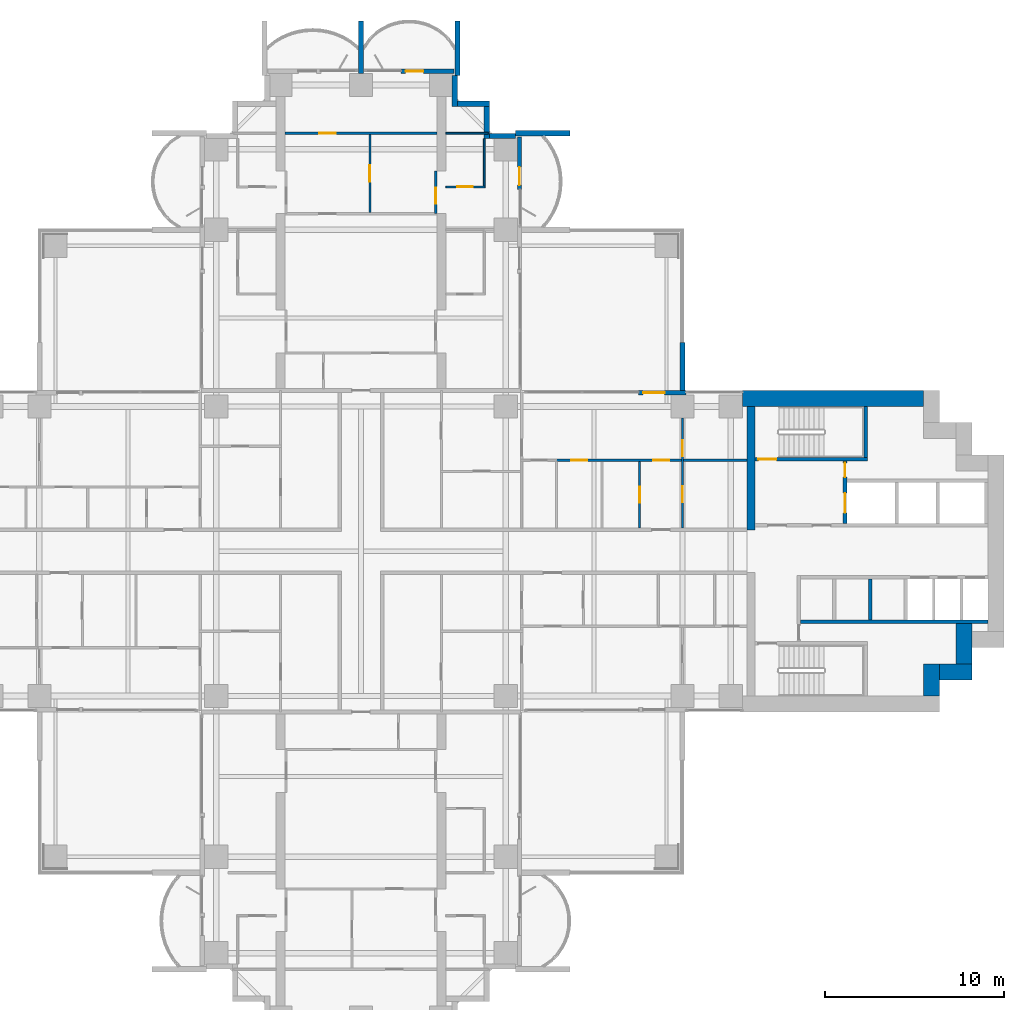
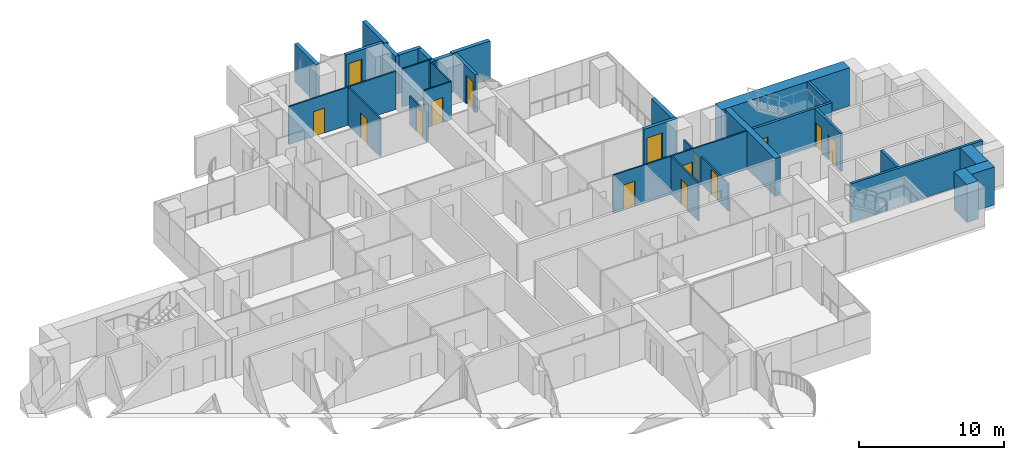
# One storey, part 15 of 21: 30 walls, 15 doors, 15 openings.
"""IFC4 building model written with IfcOpenShell, lengths in metres."""

from ifc_helpers import new_model, si_unit, direction, frame, frame_2d, origin, place, context, subcontext, project, spatial, rectangle, extrude, material, layer, layer_set, type_object, element, fill, save


model = new_model("IFC4")

# Units and contexts
model_context = context("Model", 3, precision=1e-05, world=origin(), true_north=direction((0.0, 1.0)))
body_context = subcontext(model_context, "Body", "Model", "MODEL_VIEW")
ifc_project = project(units=[si_unit("LENGTHUNIT", "METRE"), si_unit("AREAUNIT", "SQUARE_METRE"), si_unit("VOLUMEUNIT", "CUBIC_METRE"), si_unit("PLANEANGLEUNIT", "RADIAN"), si_unit("MASSUNIT", "GRAM", prefix="KILO")], contexts=[model_context])

# Site, building, storey
site_placement = place(None, origin())
site = spatial("IfcSite", under=ifc_project, at=site_placement, CompositionType="ELEMENT")
building_placement = place(site_placement, origin())
building = spatial("IfcBuilding", under=site, at=building_placement, Name="Perihelion Cross Residences", CompositionType="ELEMENT")
storey_placement = place(building_placement, frame((0.0, 0.0, 89.0)))
storey = spatial("IfcBuildingStorey", under=building, at=storey_placement, Name="L20", CompositionType="ELEMENT", Elevation=89.0)

# Wall, opening, door
ifc_material_1 = material(Name="Concrete C30/37, bronze-clad", Category="concrete")
ifc_layer_1 = layer(ifc_material_1, 0.25)
ifc_layer_set_1 = layer_set([ifc_layer_1], Name="Bronze-clad pier wall 250")
wall_type_1 = type_object("IfcWallType", Name="Bronze-clad pier wall 250", PredefinedType="SOLIDWALL", material=ifc_layer_set_1)
wall_1_placement = place(storey_placement, frame((18.199951171875, 8.875, 0.0), z_axis=(0.0, 0.0, 1.0), x_axis=(-1.0, 0.0, 0.0)))
wall_1 = element("IfcWall", 1, at=wall_1_placement, inside=storey, type_object=wall_type_1, Name="Wall FW1 L20 east side north bay 2 pier", PredefinedType="SOLIDWALL", context=body_context, shape_type="SweptSolid", body=[
    extrude(rectangle(XDim=2.64990234375, YDim=0.25, at=frame_2d((1.324951171875, 0.0))), origin(), (0.0, 0.0, 1.0), 3.199951171875),
])
opening_1_placement = place(wall_1_placement, frame((1.199951171875, 0.0, 0.0)))
opening_1 = element("IfcOpeningElement", 2, at=opening_1_placement, cuts=wall_1, Name="Opening L20.E01", PredefinedType="OPENING", context=body_context, shape_type="SweptSolid", body=[
    extrude(rectangle(XDim=1.199951171875, YDim=2.39990234375, at=frame_2d((0.60009765625, 1.199951171875))), frame((0.0, 0.135009765625, 0.0), z_axis=(0.0, -1.0, 0.0), x_axis=(1.0, 0.0, 0.0)), (0.0, 0.0, 1.0), 0.27001953125),
])
ifc_material_2 = material(Name="Bronze anodised aluminium, glazed", Category="aluminium")
door_type_1 = type_object("IfcDoorType", Name="Balcony door 1200 x 2400", OperationType="NOTDEFINED", PredefinedType="DOOR", material=ifc_material_2)
door_1_placement = place(opening_1_placement, origin())
door_1 = element("IfcDoor", 3, at=door_1_placement, inside=storey, type_object=door_type_1, Name="Door L20.E01 east side north bay 2", OperationType="SINGLE_SWING_RIGHT", OverallHeight=2.39990234375, OverallWidth=1.199951171875, PredefinedType="DOOR", context=body_context, shape_type="SweptSolid", body=[
    extrude(rectangle(XDim=1.199951171875, YDim=2.39990234375, at=frame_2d((0.60009765625, 1.199951171875))), frame((0.0, 0.02490234375, 0.0), z_axis=(0.0, -1.0, 0.0), x_axis=(1.0, 0.0, 0.0)), (0.0, 0.0, 1.0), 0.050048828125),
])
fill(opening_1, door_1)

wall_2_placement = place(storey_placement, frame((8.875, 20.25, 0.0), z_axis=(0.0, 0.0, 1.0), x_axis=(0.0, 1.0, 0.0)))
wall_2 = element("IfcWall", 4, at=wall_2_placement, inside=storey, type_object=wall_type_1, Name="Wall FW1 L20 north side east bay 2 pier", PredefinedType="SOLIDWALL", context=body_context, shape_type="SweptSolid", body=[
    extrude(rectangle(XDim=2.949951171875, YDim=0.25, at=frame_2d((1.47509765625, 0.0))), origin(), (0.0, 0.0, 1.0), 3.199951171875),
])
opening_2_placement = place(wall_2_placement, frame((0.25, 0.0, 0.0)))
opening_2 = element("IfcOpeningElement", 5, at=opening_2_placement, cuts=wall_2, Name="Opening L20.E03", PredefinedType="OPENING", context=body_context, shape_type="SweptSolid", body=[
    extrude(rectangle(XDim=1.0, YDim=2.39990234375, at=frame_2d((0.5, 1.199951171875))), frame((0.0, 0.135009765625, 0.0), z_axis=(0.0, -1.0, 0.0), x_axis=(1.0, 0.0, 0.0)), (0.0, 0.0, 1.0), 0.27001953125),
])
ifc_material_3 = material(Name="Bronze anodised aluminium, glazed", Category="aluminium")
door_type_2 = type_object("IfcDoorType", Name="Balcony door 1000 x 2400", OperationType="NOTDEFINED", PredefinedType="DOOR", material=ifc_material_3)
door_2_placement = place(opening_2_placement, origin())
door_2 = element("IfcDoor", 6, at=door_2_placement, inside=storey, type_object=door_type_2, Name="Door L20.E03 north side east bay 2", OperationType="SINGLE_SWING_RIGHT", OverallHeight=2.39990234375, OverallWidth=1.0, PredefinedType="DOOR", context=body_context, shape_type="SweptSolid", body=[
    extrude(rectangle(XDim=1.0, YDim=2.39990234375, at=frame_2d((0.5, 1.199951171875))), frame((0.0, 0.02490234375, 0.0), z_axis=(0.0, -1.0, 0.0), x_axis=(1.0, 0.0, 0.0)), (0.0, 0.0, 1.0), 0.050048828125),
])
fill(opening_2, door_2)

wall_3_placement = place(storey_placement, frame((5.199951171875, 26.875, 0.0), z_axis=(0.0, 0.0, 1.0), x_axis=(-1.0, 0.0, 0.0)))
wall_3 = element("IfcWall", 7, at=wall_3_placement, inside=storey, type_object=wall_type_1, Name="Wall FW1 L20 north tip north bay 1 pier", PredefinedType="SOLIDWALL", context=body_context, shape_type="SweptSolid", body=[
    extrude(rectangle(XDim=2.949951171875, YDim=0.25, at=frame_2d((1.47509765625, 0.0))), origin(), (0.0, 0.0, 1.0), 3.199951171875),
])
opening_3_placement = place(wall_3_placement, frame((1.699951171875, 0.0, 0.0)))
opening_3 = element("IfcOpeningElement", 8, at=opening_3_placement, cuts=wall_3, Name="Opening L20.E04", PredefinedType="OPENING", context=body_context, shape_type="SweptSolid", body=[
    extrude(rectangle(XDim=1.0, YDim=2.39990234375, at=frame_2d((0.5, 1.199951171875))), frame((0.0, 0.135009765625, 0.0), z_axis=(0.0, -1.0, 0.0), x_axis=(1.0, 0.0, 0.0)), (0.0, 0.0, 1.0), 0.27001953125),
])
door_3_placement = place(opening_3_placement, origin())
door_3 = element("IfcDoor", 9, at=door_3_placement, inside=storey, type_object=door_type_2, Name="Door L20.E04 north tip north bay 1", OperationType="SINGLE_SWING_LEFT", OverallHeight=2.39990234375, OverallWidth=1.0, PredefinedType="DOOR", context=body_context, shape_type="SweptSolid", body=[
    extrude(rectangle(XDim=1.0, YDim=2.39990234375, at=frame_2d((0.5, 1.199951171875))), frame((0.0, 0.02490234375, 0.0), z_axis=(0.0, -1.0, 0.0), x_axis=(1.0, 0.0, 0.0)), (0.0, 0.0, 1.0), 0.050048828125),
])
fill(opening_3, door_3)

# Walls
ifc_material_4 = material(Name="Concrete C30/37, bronze-clad", Category="concrete")
ifc_layer_2 = layer(ifc_material_4, 0.300048828125)
ifc_layer_set_2 = layer_set([ifc_layer_2], Name="Bronze-clad serration wall 300")
wall_type_2 = type_object("IfcWallType", Name="Bronze-clad serration wall 300", PredefinedType="SOLIDWALL", material=ifc_layer_set_2)
wall_4_placement = place(storey_placement, frame((8.64990234375, 23.25, 0.0), z_axis=(0.0, 0.0, 1.0), x_axis=(-1.0, 0.0, 0.0)))
element("IfcWall", 10, at=wall_4_placement, inside=storey, type_object=wall_type_2, Name="Wall SR1 L20 north corner north-east 1", PredefinedType="SOLIDWALL", context=body_context, shape_type="SweptSolid", body=[
    extrude(rectangle(XDim=1.449951171875, YDim=0.300048828125, at=frame_2d((0.72509765625, 0.0))), origin(), (0.0, 0.0, 1.0), 3.199951171875),
])
wall_5_placement = place(storey_placement, frame((7.050048828125, 23.10009765625, 0.0), z_axis=(0.0, 0.0, 1.0), x_axis=(0.0, 1.0, 0.0)))
element("IfcWall", 11, at=wall_5_placement, inside=storey, type_object=wall_type_2, Name="Wall SR1 L20 north corner north-east 2", PredefinedType="SOLIDWALL", context=body_context, shape_type="SweptSolid", body=[
    extrude(rectangle(XDim=1.7998046875, YDim=0.300048828125, at=frame_2d((0.89990234375, 0.0))), origin(), (0.0, 0.0, 1.0), 3.199951171875),
])
wall_6_placement = place(storey_placement, frame((7.199951171875, 25.050048828125, 0.0), z_axis=(0.0, 0.0, 1.0), x_axis=(-1.0, 0.0, 0.0)))
element("IfcWall", 12, at=wall_6_placement, inside=storey, type_object=wall_type_2, Name="Wall SR1 L20 north corner north-east 3", PredefinedType="SOLIDWALL", context=body_context, shape_type="SweptSolid", body=[
    extrude(rectangle(XDim=1.800048828125, YDim=0.300048828125, at=frame_2d((0.89990234375, 0.0))), origin(), (0.0, 0.0, 1.0), 3.199951171875),
])
wall_7_placement = place(storey_placement, frame((5.25, 24.89990234375, 0.0), z_axis=(0.0, 0.0, 1.0), x_axis=(0.0, 1.0, 0.0)))
element("IfcWall", 13, at=wall_7_placement, inside=storey, type_object=wall_type_2, Name="Wall SR1 L20 north corner north-east 4", PredefinedType="SOLIDWALL", context=body_context, shape_type="SweptSolid", body=[
    extrude(rectangle(XDim=1.75, YDim=0.300048828125, at=frame_2d((0.875, 0.0))), origin(), (0.0, 0.0, 1.0), 3.199951171875),
])
ifc_material_5 = material(Name="Concrete C60/75", Category="concrete")
ifc_layer_3 = layer(ifc_material_5, 0.449951171875)
ifc_layer_set_3 = layer_set([ifc_layer_3], Name="Core wall, inner 450")
wall_type_3 = type_object("IfcWallType", Name="Core wall, inner 450", PredefinedType="SHEAR", material=ifc_layer_set_3)
wall_8_placement = place(storey_placement, frame((21.824951171875, 1.199951171875, 0.0), z_axis=(0.0, 0.0, 1.0), x_axis=(0.0, 1.0, 0.0)))
element("IfcWall", 14, at=wall_8_placement, inside=storey, type_object=wall_type_3, Name="East core core wall, inner", PredefinedType="SHEAR", context=body_context, shape_type="SweptSolid", body=[
    extrude(rectangle(XDim=6.900146484375, YDim=0.449951171875, at=frame_2d((3.4501953125, 0.0))), origin(), (0.0, 0.0, 1.0), 3.199951171875),
])
ifc_material_6 = material(Name="Concrete C60/75", Category="concrete")
ifc_layer_4 = layer(ifc_material_6, 0.89990234375)
ifc_layer_set_4 = layer_set([ifc_layer_4], Name="Core wall, outer 900")
wall_type_4 = type_object("IfcWallType", Name="Core wall, outer 900", PredefinedType="SHEAR", material=ifc_layer_set_4)
for number, where, z_axis, x_axis, name in (
    (15, (31.949951171875, -8.10009765625, 0.0), (0.0, 0.0, 1.0), (0.0, 1.0, 0.0), "East core core wall, outer"),
    (16, (32.39990234375, -6.75, 0.0), (0.0, 0.0, 1.0), (1.0, 0.0, 0.0), "East core core wall, outer"),
):
    element("IfcWall", number, at=place(storey_placement, frame(where, z_axis=z_axis, x_axis=x_axis)), inside=storey, type_object=wall_type_4, Name=name, PredefinedType="SHEAR", context=body_context, shape_type="SweptSolid", body=[
        extrude(rectangle(XDim=1.800048828125, YDim=0.89990234375, at=frame_2d((0.89990234375, 0.0))), origin(), (0.0, 0.0, 1.0), 3.199951171875),
    ])
wall_9_placement = place(storey_placement, frame((33.75, -6.300048828125, 0.0), z_axis=(0.0, 0.0, 1.0), x_axis=(0.0, 1.0, 0.0)))
element("IfcWall", 17, at=wall_9_placement, inside=storey, type_object=wall_type_4, Name="East core core wall, outer", PredefinedType="SHEAR", context=body_context, shape_type="SweptSolid", body=[
    extrude(rectangle(XDim=2.25, YDim=0.89990234375, at=frame_2d((1.125, 0.0))), origin(), (0.0, 0.0, 1.0), 3.199951171875),
])
wall_10_placement = place(storey_placement, frame((21.35009765625, 8.550048828125, 0.0), z_axis=(0.0, 0.0, 1.0), x_axis=(1.0, 0.0, 0.0)))
element("IfcWall", 18, at=wall_10_placement, inside=storey, type_object=wall_type_4, Name="East core core wall, outer", PredefinedType="SHEAR", context=body_context, shape_type="SweptSolid", body=[
    extrude(rectangle(XDim=10.14990234375, YDim=0.89990234375, at=frame_2d((5.074951171875, 0.0))), origin(), (0.0, 0.0, 1.0), 3.199951171875),
])

# Wall, opening, door
ifc_material_7 = material(Name="Plasterboard partition")
ifc_layer_5 = layer(ifc_material_7, 0.1201171875)
ifc_layer_set_5 = layer_set([ifc_layer_5], Name="Infill panel 120")
wall_type_5 = type_object("IfcWallType", Name="Infill panel 120", PredefinedType="PARTITIONING", material=ifc_layer_set_5)
wall_11_placement = place(storey_placement, frame((4.18994140625, 18.89990234375, 0.0), z_axis=(0.0, 0.0, 1.0), x_axis=(0.0, 1.0, 0.0)))
wall_11 = element("IfcWall", 19, at=wall_11_placement, inside=storey, type_object=wall_type_5, Name="Partition L20 WI02", PredefinedType="PARTITIONING", context=body_context, shape_type="SweptSolid", body=[
    extrude(rectangle(XDim=2.400146484375, YDim=0.1201171875, at=frame_2d((1.2001953125, 0.0))), origin(), (0.0, 0.0, 1.0), 2.39990234375),
])
opening_4_placement = place(wall_11_placement, frame((0.550048828125, 0.0, 0.0)))
opening_4 = element("IfcOpeningElement", 20, at=opening_4_placement, cuts=wall_11, Name="Opening L20.A58", PredefinedType="OPENING", context=body_context, shape_type="SweptSolid", body=[
    extrude(rectangle(XDim=0.89990234375, YDim=2.10009765625, at=frame_2d((0.449951171875, 1.050048828125))), frame((0.0, 0.070068359375, 0.0), z_axis=(0.0, -1.0, 0.0), x_axis=(1.0, 0.0, 0.0)), (0.0, 0.0, 1.0), 0.14013671875),
])
ifc_material_8 = material(Name="Timber door leaf", Category="wood")
door_type_3 = type_object("IfcDoorType", Name="Interior room door 900 x 2100", OperationType="SINGLE_SWING_LEFT", PredefinedType="DOOR", material=ifc_material_8)
door_4_placement = place(opening_4_placement, origin())
door_4 = element("IfcDoor", 21, at=door_4_placement, inside=storey, type_object=door_type_3, Name="Door L20.A58", OperationType="SINGLE_SWING_RIGHT", OverallHeight=2.10009765625, OverallWidth=0.89990234375, PredefinedType="DOOR", context=body_context, shape_type="SweptSolid", body=[
    extrude(rectangle(XDim=0.89990234375, YDim=2.10009765625, at=frame_2d((0.449951171875, 1.050048828125))), frame((0.0, 0.02490234375, 0.0), z_axis=(0.0, -1.0, 0.0), x_axis=(1.0, 0.0, 0.0)), (0.0, 0.0, 1.0), 0.050048828125),
])
fill(opening_4, door_4)

# Wall, openings, doors
ifc_material_9 = material(Name="Plasterboard partition")
ifc_layer_6 = layer(ifc_material_9, 0.1201171875)
ifc_layer_set_6 = layer_set([ifc_layer_6], Name="Partition wall 120")
wall_type_6 = type_object("IfcWallType", Name="Partition wall 120", PredefinedType="PARTITIONING", material=ifc_layer_set_6)
wall_12_placement = place(storey_placement, frame((10.949951171875, 5.10009765625, 0.0), z_axis=(0.0, 0.0, 1.0), x_axis=(1.0, 0.0, 0.0)))
wall_12 = element("IfcWall", 22, at=wall_12_placement, inside=storey, type_object=wall_type_6, Name="Partition L20 W015", PredefinedType="PARTITIONING", context=body_context, shape_type="SweptSolid", body=[
    extrude(rectangle(XDim=10.650146484375, YDim=0.1201171875, at=frame_2d((5.3251953125, 0.0))), origin(), (0.0, 0.0, 1.0), 3.199951171875),
])
opening_5_placement = place(wall_12_placement, frame((5.39990234375, 0.0, 0.0)))
opening_5 = element("IfcOpeningElement", 23, at=opening_5_placement, cuts=wall_12, Name="Opening L20.A07", PredefinedType="OPENING", context=body_context, shape_type="SweptSolid", body=[
    extrude(rectangle(XDim=0.89990234375, YDim=2.10009765625, at=frame_2d((0.449951171875, 1.050048828125))), frame((0.0, 0.070068359375, 0.0), z_axis=(0.0, -1.0, 0.0), x_axis=(1.0, 0.0, 0.0)), (0.0, 0.0, 1.0), 0.14013671875),
])
opening_6_placement = place(wall_12_placement, frame((0.824951171875, 0.0, 0.0)))
opening_6 = element("IfcOpeningElement", 24, at=opening_6_placement, cuts=wall_12, Name="Opening L20.A08", PredefinedType="OPENING", context=body_context, shape_type="SweptSolid", body=[
    extrude(rectangle(XDim=0.89990234375, YDim=2.10009765625, at=frame_2d((0.449951171875, 1.050048828125))), frame((0.0, 0.070068359375, 0.0), z_axis=(0.0, -1.0, 0.0), x_axis=(1.0, 0.0, 0.0)), (0.0, 0.0, 1.0), 0.14013671875),
])
door_5_placement = place(opening_5_placement, origin())
door_5 = element("IfcDoor", 25, at=door_5_placement, inside=storey, type_object=door_type_3, Name="Door L20.A07", OperationType="SINGLE_SWING_LEFT", OverallHeight=2.10009765625, OverallWidth=0.89990234375, PredefinedType="DOOR", context=body_context, shape_type="SweptSolid", body=[
    extrude(rectangle(XDim=0.89990234375, YDim=2.10009765625, at=frame_2d((0.449951171875, 1.050048828125))), frame((0.0, 0.02490234375, 0.0), z_axis=(0.0, -1.0, 0.0), x_axis=(1.0, 0.0, 0.0)), (0.0, 0.0, 1.0), 0.050048828125),
])
fill(opening_5, door_5)
door_6_placement = place(opening_6_placement, origin())
door_6 = element("IfcDoor", 26, at=door_6_placement, inside=storey, type_object=door_type_3, Name="Door L20.A08", OperationType="SINGLE_SWING_RIGHT", OverallHeight=2.10009765625, OverallWidth=0.89990234375, PredefinedType="DOOR", context=body_context, shape_type="SweptSolid", body=[
    extrude(rectangle(XDim=0.89990234375, YDim=2.10009765625, at=frame_2d((0.449951171875, 1.050048828125))), frame((0.0, 0.02490234375, 0.0), z_axis=(0.0, -1.0, 0.0), x_axis=(1.0, 0.0, 0.0)), (0.0, 0.0, 1.0), 0.050048828125),
])
fill(opening_6, door_6)

# Wall, opening, door
wall_13_placement = place(storey_placement, frame((15.60009765625, 5.0400390625, 0.0), z_axis=(0.0, 0.0, 1.0), x_axis=(0.0, -1.0, 0.0)))
wall_13 = element("IfcWall", 27, at=wall_13_placement, inside=storey, type_object=wall_type_6, Name="Partition L20 W016", PredefinedType="PARTITIONING", context=body_context, shape_type="SweptSolid", body=[
    extrude(rectangle(XDim=3.739990234375, YDim=0.1201171875, at=frame_2d((1.8701171875, 0.0))), origin(), (0.0, 0.0, 1.0), 3.199951171875),
])
opening_7_placement = place(wall_13_placement, frame((1.419921875, 0.0, 0.0)))
opening_7 = element("IfcOpeningElement", 28, at=opening_7_placement, cuts=wall_13, Name="Opening L20.A09", PredefinedType="OPENING", context=body_context, shape_type="SweptSolid", body=[
    extrude(rectangle(XDim=0.89990234375, YDim=2.10009765625, at=frame_2d((0.449951171875, 1.050048828125))), frame((0.0, 0.070068359375, 0.0), z_axis=(0.0, -1.0, 0.0), x_axis=(1.0, 0.0, 0.0)), (0.0, 0.0, 1.0), 0.14013671875),
])
door_7_placement = place(opening_7_placement, origin())
door_7 = element("IfcDoor", 29, at=door_7_placement, inside=storey, type_object=door_type_3, Name="Door L20.A09", OperationType="SINGLE_SWING_RIGHT", OverallHeight=2.10009765625, OverallWidth=0.89990234375, PredefinedType="DOOR", context=body_context, shape_type="SweptSolid", body=[
    extrude(rectangle(XDim=0.89990234375, YDim=2.10009765625, at=frame_2d((0.449951171875, 1.050048828125))), frame((0.0, 0.02490234375, 0.0), z_axis=(0.0, -1.0, 0.0), x_axis=(1.0, 0.0, 0.0)), (0.0, 0.0, 1.0), 0.050048828125),
])
fill(opening_7, door_7)

# Wall, openings, doors
wall_14_placement = place(storey_placement, frame((18.0, 7.449951171875, 0.0), z_axis=(0.0, 0.0, 1.0), x_axis=(0.0, -1.0, 0.0)))
wall_14 = element("IfcWall", 30, at=wall_14_placement, inside=storey, type_object=wall_type_6, Name="Partition L20 W017", PredefinedType="PARTITIONING", context=body_context, shape_type="SweptSolid", body=[
    extrude(rectangle(XDim=6.14990234375, YDim=0.1201171875, at=frame_2d((3.074951171875, 0.0))), origin(), (0.0, 0.0, 1.0), 2.2958984375),
])
opening_8_placement = place(wall_14_placement, frame((3.800048828125, 0.0, 0.0)))
opening_8 = element("IfcOpeningElement", 31, at=opening_8_placement, cuts=wall_14, Name="Opening L20.A02", PredefinedType="OPENING", context=body_context, shape_type="SweptSolid", body=[
    extrude(rectangle(XDim=0.89990234375, YDim=2.10009765625, at=frame_2d((0.449951171875, 1.050048828125))), frame((0.0, 0.070068359375, 0.0), z_axis=(0.0, -1.0, 0.0), x_axis=(1.0, 0.0, 0.0)), (0.0, 0.0, 1.0), 0.14013671875),
])
opening_9_placement = place(wall_14_placement, frame((1.22509765625, 0.0, 0.0)))
opening_9 = element("IfcOpeningElement", 32, at=opening_9_placement, cuts=wall_14, Name="Opening L20.A06", PredefinedType="OPENING", context=body_context, shape_type="SweptSolid", body=[
    extrude(rectangle(XDim=0.89990234375, YDim=2.10009765625, at=frame_2d((0.449951171875, 1.050048828125))), frame((0.0, 0.070068359375, 0.0), z_axis=(0.0, -1.0, 0.0), x_axis=(1.0, 0.0, 0.0)), (0.0, 0.0, 1.0), 0.14013671875),
])
door_8_placement = place(opening_8_placement, origin())
door_8 = element("IfcDoor", 33, at=door_8_placement, inside=storey, type_object=door_type_3, Name="Door L20.A02", OperationType="SINGLE_SWING_RIGHT", OverallHeight=2.10009765625, OverallWidth=0.89990234375, PredefinedType="DOOR", context=body_context, shape_type="SweptSolid", body=[
    extrude(rectangle(XDim=0.89990234375, YDim=2.10009765625, at=frame_2d((0.449951171875, 1.050048828125))), frame((0.0, 0.02490234375, 0.0), z_axis=(0.0, -1.0, 0.0), x_axis=(1.0, 0.0, 0.0)), (0.0, 0.0, 1.0), 0.050048828125),
])
fill(opening_8, door_8)
door_9_placement = place(opening_9_placement, origin())
door_9 = element("IfcDoor", 34, at=door_9_placement, inside=storey, type_object=door_type_3, Name="Door L20.A06", OperationType="SINGLE_SWING_RIGHT", OverallHeight=2.10009765625, OverallWidth=0.89990234375, PredefinedType="DOOR", context=body_context, shape_type="SweptSolid", body=[
    extrude(rectangle(XDim=0.89990234375, YDim=2.10009765625, at=frame_2d((0.449951171875, 1.050048828125))), frame((0.0, 0.02490234375, 0.0), z_axis=(0.0, -1.0, 0.0), x_axis=(1.0, 0.0, 0.0)), (0.0, 0.0, 1.0), 0.050048828125),
])
fill(opening_9, door_9)

# Wall, opening, door
wall_15_placement = place(storey_placement, frame((0.5, 23.340087890625, 0.0), z_axis=(0.0, 0.0, 1.0), x_axis=(0.0, -1.0, 0.0)))
wall_15 = element("IfcWall", 35, at=wall_15_placement, inside=storey, type_object=wall_type_6, Name="Partition L20 W053", PredefinedType="PARTITIONING", context=body_context, shape_type="SweptSolid", body=[
    extrude(rectangle(XDim=4.380126953125, YDim=0.1201171875, at=frame_2d((2.18994140625, 0.0))), origin(), (0.0, 0.0, 1.0), 3.199951171875),
])
opening_10_placement = place(wall_15_placement, frame((1.739990234375, 0.0, 0.0)))
opening_10 = element("IfcOpeningElement", 36, at=opening_10_placement, cuts=wall_15, Name="Opening L20.A38", PredefinedType="OPENING", context=body_context, shape_type="SweptSolid", body=[
    extrude(rectangle(XDim=0.89990234375, YDim=2.10009765625, at=frame_2d((0.449951171875, 1.050048828125))), frame((0.0, 0.070068359375, 0.0), z_axis=(0.0, -1.0, 0.0), x_axis=(1.0, 0.0, 0.0)), (0.0, 0.0, 1.0), 0.14013671875),
])
door_10_placement = place(opening_10_placement, origin())
door_10 = element("IfcDoor", 37, at=door_10_placement, inside=storey, type_object=door_type_3, Name="Door L20.A38", OperationType="SINGLE_SWING_LEFT", OverallHeight=2.10009765625, OverallWidth=0.89990234375, PredefinedType="DOOR", context=body_context, shape_type="SweptSolid", body=[
    extrude(rectangle(XDim=0.89990234375, YDim=2.10009765625, at=frame_2d((0.449951171875, 1.050048828125))), frame((0.0, 0.02490234375, 0.0), z_axis=(0.0, -1.0, 0.0), x_axis=(1.0, 0.0, 0.0)), (0.0, 0.0, 1.0), 0.050048828125),
])
fill(opening_10, door_10)

wall_16_placement = place(storey_placement, frame((-4.25, 23.39990234375, 0.0), z_axis=(0.0, 0.0, 1.0), x_axis=(1.0, 0.0, 0.0)))
wall_16 = element("IfcWall", 38, at=wall_16_placement, inside=storey, type_object=wall_type_6, Name="Partition L20 W054", PredefinedType="PARTITIONING", context=body_context, shape_type="SweptSolid", body=[
    extrude(rectangle(XDim=8.5, YDim=0.1201171875, at=frame_2d((4.25, 0.0))), origin(), (0.0, 0.0, 1.0), 3.199951171875),
])
opening_11_placement = place(wall_16_placement, frame((1.925048828125, 0.0, 0.0)))
opening_11 = element("IfcOpeningElement", 39, at=opening_11_placement, cuts=wall_16, Name="Opening L20.A39", PredefinedType="OPENING", context=body_context, shape_type="SweptSolid", body=[
    extrude(rectangle(XDim=0.89990234375, YDim=2.10009765625, at=frame_2d((0.449951171875, 1.050048828125))), frame((0.0, 0.070068359375, 0.0), z_axis=(0.0, -1.0, 0.0), x_axis=(1.0, 0.0, 0.0)), (0.0, 0.0, 1.0), 0.14013671875),
])
door_11_placement = place(opening_11_placement, origin())
door_11 = element("IfcDoor", 40, at=door_11_placement, inside=storey, type_object=door_type_3, Name="Door L20.A39", OperationType="SINGLE_SWING_LEFT", OverallHeight=2.10009765625, OverallWidth=0.89990234375, PredefinedType="DOOR", context=body_context, shape_type="SweptSolid", body=[
    extrude(rectangle(XDim=0.89990234375, YDim=2.10009765625, at=frame_2d((0.449951171875, 1.050048828125))), frame((0.0, 0.02490234375, 0.0), z_axis=(0.0, -1.0, 0.0), x_axis=(1.0, 0.0, 0.0)), (0.0, 0.0, 1.0), 0.050048828125),
])
fill(opening_11, door_11)

# Walls
ifc_material_10 = material(Name="Precast concrete C50/60", Category="concrete")
ifc_layer_7 = layer(ifc_material_10, 0.300048828125)
ifc_layer_set_7 = layer_set([ifc_layer_7], Name="Precast concrete C50/60 blade wall 300")
wall_type_7 = type_object("IfcWallType", Name="Precast concrete C50/60 blade wall 300", PredefinedType="SOLIDWALL", material=ifc_layer_set_7)
wall_17_placement = place(storey_placement, frame((0.0, 26.75, 0.0), z_axis=(0.0, 0.0, 1.0), x_axis=(0.0, 1.0, 0.0)))
element("IfcWall", 41, at=wall_17_placement, inside=storey, type_object=wall_type_7, Name="Wall BL1 L20 no. 10", PredefinedType="SOLIDWALL", context=body_context, shape_type="SweptSolid", body=[
    extrude(rectangle(XDim=2.949951171875, YDim=0.300048828125, at=frame_2d((1.47509765625, 0.0))), origin(), (0.0, 0.0, 1.0), 3.199951171875),
])
for number, where, z_axis, x_axis, name in (
    (42, (5.39990234375, 26.64990234375, 0.0), (0.0, 0.0, 1.0), (0.0, 1.0, 0.0), "Wall BL1 L20 no. 14"),
    (43, (8.64990234375, 23.39990234375, 0.0), (0.0, 0.0, 1.0), (1.0, 0.0, 0.0), "Wall BL1 L20 no. 18"),
):
    element("IfcWall", number, at=place(storey_placement, frame(where, z_axis=z_axis, x_axis=x_axis)), inside=storey, type_object=wall_type_7, Name=name, PredefinedType="SOLIDWALL", context=body_context, shape_type="SweptSolid", body=[
        extrude(rectangle(XDim=3.050048828125, YDim=0.300048828125, at=frame_2d((1.52490234375, 0.0))), origin(), (0.0, 0.0, 1.0), 3.199951171875),
    ])
wall_18_placement = place(storey_placement, frame((18.0, 8.75, 0.0), z_axis=(0.0, 0.0, 1.0), x_axis=(0.0, 1.0, 0.0)))
element("IfcWall", 44, at=wall_18_placement, inside=storey, type_object=wall_type_7, Name="Wall BL1 L20 no. 12", PredefinedType="SOLIDWALL", context=body_context, shape_type="SweptSolid", body=[
    extrude(rectangle(XDim=2.949951171875, YDim=0.300048828125, at=frame_2d((1.47509765625, 0.0))), origin(), (0.0, 0.0, 1.0), 3.199951171875),
])
ifc_material_11 = material(Name="Concrete C50/60", Category="concrete")
ifc_layer_8 = layer(ifc_material_11, 0.199951171875)
ifc_layer_set_8 = layer_set([ifc_layer_8], Name="Shaft wall 200")
wall_type_8 = type_object("IfcWallType", Name="Shaft wall 200", PredefinedType="SOLIDWALL", material=ifc_layer_set_8)
wall_19_placement = place(storey_placement, frame((24.60009765625, -3.949951171875, 0.0), z_axis=(0.0, 0.0, 1.0), x_axis=(1.0, 0.0, 0.0)))
element("IfcWall", 45, at=wall_19_placement, inside=storey, type_object=wall_type_8, Name="East core shaft wall", PredefinedType="SOLIDWALL", context=body_context, shape_type="SweptSolid", body=[
    extrude(rectangle(XDim=10.5, YDim=0.199951171875, at=frame_2d((5.25, 0.0))), origin(), (0.0, 0.0, 1.0), 3.199951171875),
])

# Wall, openings, doors
wall_20_placement = place(storey_placement, frame((27.10009765625, 1.550048828125, 0.0), z_axis=(0.0, 0.0, 1.0), x_axis=(0.0, 1.0, 0.0)))
wall_20 = element("IfcWall", 46, at=wall_20_placement, inside=storey, type_object=wall_type_8, Name="East core shaft wall", PredefinedType="SOLIDWALL", context=body_context, shape_type="SweptSolid", body=[
    extrude(rectangle(XDim=3.5, YDim=0.199951171875, at=frame_2d((1.75, 0.0))), origin(), (0.0, 0.0, 1.0), 3.199951171875),
])
opening_12_placement = place(wall_20_placement, frame((0.60009765625, 0.0, 0.0)))
opening_12 = element("IfcOpeningElement", 47, at=opening_12_placement, cuts=wall_20, Name="Opening L20.C01", PredefinedType="OPENING", context=body_context, shape_type="SweptSolid", body=[
    extrude(rectangle(XDim=1.10009765625, YDim=2.10009765625, at=frame_2d((0.550048828125, 1.050048828125))), frame((0.0, 0.10986328125, 0.0), z_axis=(0.0, -1.0, 0.0), x_axis=(1.0, 0.0, 0.0)), (0.0, 0.0, 1.0), 0.219970703125),
])
opening_13_placement = place(wall_20_placement, frame((2.60009765625, 0.0, 0.0)))
opening_13 = element("IfcOpeningElement", 48, at=opening_13_placement, cuts=wall_20, Name="Opening L20.C10", PredefinedType="OPENING", context=body_context, shape_type="SweptSolid", body=[
    extrude(rectangle(XDim=0.800048828125, YDim=2.10009765625, at=frame_2d((0.39990234375, 1.050048828125))), frame((0.0, 0.10986328125, 0.0), z_axis=(0.0, -1.0, 0.0), x_axis=(1.0, 0.0, 0.0)), (0.0, 0.0, 1.0), 0.219970703125),
])
ifc_material_12 = material(Name="Stainless steel", Category="steel")
door_type_4 = type_object("IfcDoorType", Name="Landing door, firefighting lift 1100", OperationType="DOUBLE_DOOR_SLIDING", PredefinedType="DOOR", material=ifc_material_12)
door_12_placement = place(opening_12_placement, origin())
door_12 = element("IfcDoor", 49, at=door_12_placement, inside=storey, type_object=door_type_4, Name="Landing door, East core firefighting and service lift", OperationType="DOUBLE_DOOR_SLIDING", OverallHeight=2.10009765625, OverallWidth=1.10009765625, PredefinedType="DOOR", context=body_context, shape_type="SweptSolid", body=[
    extrude(rectangle(XDim=1.10009765625, YDim=2.10009765625, at=frame_2d((0.550048828125, 1.050048828125))), frame((0.0, 0.02490234375, 0.0), z_axis=(0.0, -1.0, 0.0), x_axis=(1.0, 0.0, 0.0)), (0.0, 0.0, 1.0), 0.050048828125),
])
fill(opening_12, door_12)
ifc_material_13 = material(Name="Steel, powder coated", Category="steel")
door_type_5 = type_object("IfcDoorType", Name="Riser door 800", OperationType="SINGLE_SWING_LEFT", PredefinedType="DOOR", material=ifc_material_13)
door_13_placement = place(opening_13_placement, origin())
door_13 = element("IfcDoor", 50, at=door_13_placement, inside=storey, type_object=door_type_5, Name="East core riser door", OperationType="SINGLE_SWING_LEFT", OverallHeight=2.10009765625, OverallWidth=0.800048828125, PredefinedType="DOOR", context=body_context, shape_type="SweptSolid", body=[
    extrude(rectangle(XDim=0.800048828125, YDim=2.10009765625, at=frame_2d((0.39990234375, 1.050048828125))), frame((0.0, 0.02490234375, 0.0), z_axis=(0.0, -1.0, 0.0), x_axis=(1.0, 0.0, 0.0)), (0.0, 0.0, 1.0), 0.050048828125),
])
fill(opening_13, door_13)

# Wall
wall_21_placement = place(storey_placement, frame((28.5, -3.85009765625, 0.0), z_axis=(0.0, 0.0, 1.0), x_axis=(0.0, 1.0, 0.0)))
element("IfcWall", 51, at=wall_21_placement, inside=storey, type_object=wall_type_8, Name="East core shaft wall", PredefinedType="SOLIDWALL", context=body_context, shape_type="SweptSolid", body=[
    extrude(rectangle(XDim=2.300048828125, YDim=0.199951171875, at=frame_2d((1.14990234375, 0.0))), origin(), (0.0, 0.0, 1.0), 3.199951171875),
])

# Wall, opening, door
ifc_material_14 = material(Name="Concrete C50/60", Category="concrete")
ifc_layer_9 = layer(ifc_material_14, 0.199951171875)
ifc_layer_set_9 = layer_set([ifc_layer_9], Name="Stair wall 200")
wall_type_9 = type_object("IfcWallType", Name="Stair wall 200", PredefinedType="SOLIDWALL", material=ifc_layer_set_9)
wall_22_placement = place(storey_placement, frame((22.050048828125, 5.14990234375, 0.0), z_axis=(0.0, 0.0, 1.0), x_axis=(1.0, 0.0, 0.0)))
wall_22 = element("IfcWall", 52, at=wall_22_placement, inside=storey, type_object=wall_type_9, Name="East core stair wall", PredefinedType="SOLIDWALL", context=body_context, shape_type="SweptSolid", body=[
    extrude(rectangle(XDim=6.300048828125, YDim=0.199951171875, at=frame_2d((3.14990234375, 0.0))), origin(), (0.0, 0.0, 1.0), 3.199951171875),
])
opening_14_placement = place(wall_22_placement, frame((0.199951171875, 0.0, 0.0)))
opening_14 = element("IfcOpeningElement", 53, at=opening_14_placement, cuts=wall_22, Name="Opening L20.C06", PredefinedType="OPENING", context=body_context, shape_type="SweptSolid", body=[
    extrude(rectangle(XDim=1.0, YDim=2.10009765625, at=frame_2d((0.5, 1.050048828125))), frame((0.0, 0.10986328125, 0.0), z_axis=(0.0, -1.0, 0.0), x_axis=(1.0, 0.0, 0.0)), (0.0, 0.0, 1.0), 0.219970703125),
])
ifc_material_15 = material(Name="Steel, powder coated", Category="steel")
door_type_6 = type_object("IfcDoorType", Name="Stair door 1000", OperationType="SINGLE_SWING_LEFT", PredefinedType="DOOR", material=ifc_material_15)
door_14_placement = place(opening_14_placement, origin())
door_14 = element("IfcDoor", 54, at=door_14_placement, inside=storey, type_object=door_type_6, Name="East core stair door", OperationType="SINGLE_SWING_LEFT", OverallHeight=2.10009765625, OverallWidth=1.0, PredefinedType="DOOR", context=body_context, shape_type="SweptSolid", body=[
    extrude(rectangle(XDim=1.0, YDim=2.10009765625, at=frame_2d((0.5, 1.050048828125))), frame((0.0, 0.02490234375, 0.0), z_axis=(0.0, -1.0, 0.0), x_axis=(1.0, 0.0, 0.0)), (0.0, 0.0, 1.0), 0.050048828125),
])
fill(opening_14, door_14)

# Wall
wall_23_placement = place(storey_placement, frame((28.25, 5.25, 0.0), z_axis=(0.0, 0.0, 1.0), x_axis=(0.0, 1.0, 0.0)))
element("IfcWall", 55, at=wall_23_placement, inside=storey, type_object=wall_type_9, Name="East core stair wall", PredefinedType="SOLIDWALL", context=body_context, shape_type="SweptSolid", body=[
    extrude(rectangle(XDim=2.85009765625, YDim=0.199951171875, at=frame_2d((1.425048828125, 0.0))), origin(), (0.0, 0.0, 1.0), 3.199951171875),
])

# Wall, opening, door
ifc_material_16 = material(Name="Plasterboard partition")
ifc_layer_10 = layer(ifc_material_16, 0.10009765625)
ifc_layer_set_10 = layer_set([ifc_layer_10], Name="Wet room wall 100")
wall_type_10 = type_object("IfcWallType", Name="Wet room wall 100", PredefinedType="PARTITIONING", material=ifc_layer_set_10)
wall_24_placement = place(storey_placement, frame((4.75, 20.39990234375, 0.0), z_axis=(0.0, 0.0, 1.0), x_axis=(1.0, 0.0, 0.0)))
wall_24 = element("IfcWall", 56, at=wall_24_placement, inside=storey, type_object=wall_type_10, Name="Partition L20 W059", PredefinedType="PARTITIONING", context=body_context, shape_type="SweptSolid", body=[
    extrude(rectangle(XDim=2.199951171875, YDim=0.10009765625, at=frame_2d((1.10009765625, 0.0))), origin(), (0.0, 0.0, 1.0), 3.199951171875),
])
opening_15_placement = place(wall_24_placement, frame((0.64990234375, 0.0, 0.0)))
opening_15 = element("IfcOpeningElement", 57, at=opening_15_placement, cuts=wall_24, Name="Opening L20.A41", PredefinedType="OPENING", context=body_context, shape_type="SweptSolid", body=[
    extrude(rectangle(XDim=0.85009765625, YDim=2.10009765625, at=frame_2d((0.425048828125, 1.050048828125))), frame((0.0, 0.06005859375, 0.0), z_axis=(0.0, -1.0, 0.0), x_axis=(1.0, 0.0, 0.0)), (0.0, 0.0, 1.0), 0.1201171875),
])
ifc_material_17 = material(Name="Timber door leaf", Category="wood")
door_type_7 = type_object("IfcDoorType", Name="Interior bathroom door 850 x 2100", OperationType="SINGLE_SWING_LEFT", PredefinedType="DOOR", material=ifc_material_17)
door_15_placement = place(opening_15_placement, origin())
door_15 = element("IfcDoor", 58, at=door_15_placement, inside=storey, type_object=door_type_7, Name="Door L20.A41", OperationType="SINGLE_SWING_LEFT", OverallHeight=2.10009765625, OverallWidth=0.85009765625, PredefinedType="DOOR", context=body_context, shape_type="SweptSolid", body=[
    extrude(rectangle(XDim=0.85009765625, YDim=2.10009765625, at=frame_2d((0.425048828125, 1.050048828125))), frame((0.0, 0.02490234375, 0.0), z_axis=(0.0, -1.0, 0.0), x_axis=(1.0, 0.0, 0.0)), (0.0, 0.0, 1.0), 0.050048828125),
])
fill(opening_15, door_15)

# Walls
wall_25_placement = place(storey_placement, frame((6.89990234375, 20.449951171875, 0.0), z_axis=(0.0, 0.0, 1.0), x_axis=(0.0, 1.0, 0.0)))
element("IfcWall", 59, at=wall_25_placement, inside=storey, type_object=wall_type_10, Name="Partition L20 W060", PredefinedType="PARTITIONING", context=body_context, shape_type="SweptSolid", body=[
    extrude(rectangle(XDim=2.650146484375, YDim=0.10009765625, at=frame_2d((1.3251953125, 0.0))), origin(), (0.0, 0.0, 1.0), 3.199951171875),
])
wall_26_placement = place(storey_placement, frame((4.75, 23.39990234375, 0.0), z_axis=(0.0, 0.0, 1.0), x_axis=(1.0, 0.0, 0.0)))
element("IfcWall", 60, at=wall_26_placement, inside=storey, type_object=wall_type_10, Name="Partition L20 W061", PredefinedType="PARTITIONING", context=body_context, shape_type="SweptSolid", body=[
    extrude(rectangle(XDim=2.3701171875, YDim=0.10009765625, at=frame_2d((1.18505859375, 0.0))), origin(), (0.0, 0.0, 1.0), 3.199951171875),
])

save(model, "model.ifc")
